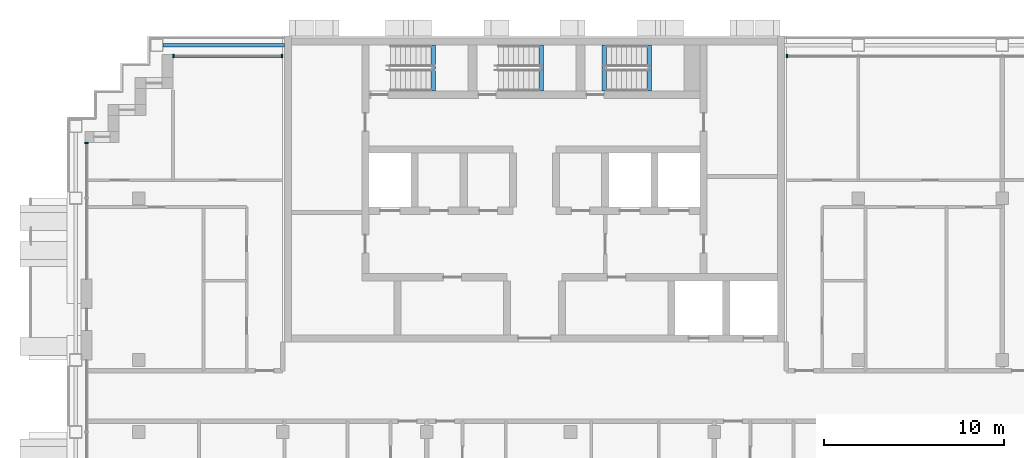
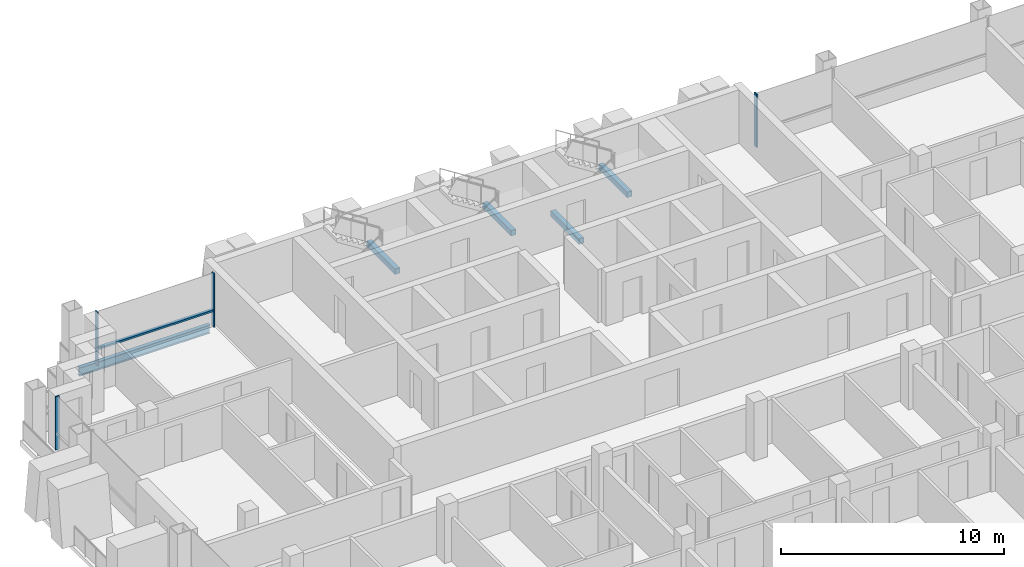
# One storey, part 4 of 16: 5 beams, 5 members, 3 elements without a shape of their own.
"""IFC4 building model written with IfcOpenShell, lengths in metres."""

from ifc_helpers import new_model, si_unit, direction, frame, origin, origin_2d, place, context, subcontext, project, spatial, rectangle, i_section, extrude, material, material_profile, profile_set, type_object, element, aggregate, save


model = new_model("IFC4")

# Units and contexts
model_context = context("Model", 3, precision=1e-05, world=origin(), true_north=direction((0.0, 1.0)))
body_context = subcontext(model_context, "Body", "Model", "MODEL_VIEW")
ifc_project = project(units=[si_unit("LENGTHUNIT", "METRE"), si_unit("AREAUNIT", "SQUARE_METRE"), si_unit("VOLUMEUNIT", "CUBIC_METRE"), si_unit("PLANEANGLEUNIT", "RADIAN"), si_unit("MASSUNIT", "GRAM", prefix="KILO")], contexts=[model_context])

# Site, building, storey
site_placement = place(None, origin())
site = spatial("IfcSite", under=ifc_project, at=site_placement, CompositionType="ELEMENT")
building_placement = place(site_placement, origin())
building = spatial("IfcBuilding", under=site, at=building_placement, Name="Vidyagriha Tower", CompositionType="ELEMENT")
storey_placement = place(building_placement, frame((0.0, 0.0, 168.5)))
storey = spatial("IfcBuildingStorey", under=building, at=storey_placement, Name="L43", CompositionType="ELEMENT", Elevation=168.5)

# Beam
ifc_material_1 = material(Name="Steel ASTM A992 Grade 50", Category="steel")
ifc_material_profile_1 = material_profile(ifc_material_1, i_section(OverallWidth=0.19189453125, OverallDepth=0.46240234375, WebThickness=0.010498046875, FlangeThickness=0.017578125, at=origin_2d()), Name="W18X60")
ifc_profile_set_1 = profile_set([ifc_material_profile_1], Name="Steel ASTM A992 Grade 50")
beam_type_1 = type_object("IfcBeamType", Name="Edge beam W18X60", PredefinedType="SPANDREL", material=ifc_profile_set_1)
beam_placement = place(storey_placement, frame((-20.64990234375, 19.5, -0.51123046875), z_axis=(1.0, 0.0, 0.0), x_axis=(0.0, 1.0, 0.0)))
element("IfcBeam", 1, at=beam_placement, inside=storey, type_object=beam_type_1, Name="st-beam-L43-NC20", PredefinedType="SPANDREL", context=body_context, shape_type="SweptSolid", body=[
    extrude(i_section(OverallWidth=0.19189453125, OverallDepth=0.46240234375, WebThickness=0.010498046875, FlangeThickness=0.017578125, at=origin_2d()), origin(), (0.0, 0.0, 1.0), 6.75),
])

# Curtain wall, member
ifc_material_2 = material(Name="Aluminium and glass curtain wall", Category="aluminium")
curtain_wall_type = type_object("IfcCurtainWallType", Name="Dwelling skin unitised curtain wall", PredefinedType="USERDEFINED", material=ifc_material_2)
curtain_wall_1_placement = place(storey_placement, origin())
curtain_wall_1 = element("IfcCurtainWall", 2, at=curtain_wall_1_placement, inside=storey, type_object=curtain_wall_type, Name="CW1 dwelling skin", ObjectType="UNITISED", PredefinedType="USERDEFINED")
ifc_material_3 = material(Name="Aluminium black anodised", Category="aluminium")
ifc_material_profile_2 = material_profile(ifc_material_3, rectangle(XDim=0.199951171875, YDim=0.070068359375, at=origin_2d()), Name="Mullion 70x200 black aluminium")
ifc_profile_set_2 = profile_set([ifc_material_profile_2], Name="Aluminium black anodised")
member_type_1 = type_object("IfcMemberType", Name="Mullion 70x200 black aluminium", PredefinedType="MULLION", material=ifc_profile_set_2)
member_1_placement = place(storey_placement, frame((14.034912109375, 18.89990234375, 0.0), z_axis=(0.0, 0.0, 1.0), x_axis=(0.0, -1.0, 0.0)))
member_1 = element("IfcMember", 3, at=member_1_placement, type_object=member_type_1, Name="CW1 mullion 4", PredefinedType="MULLION", context=body_context, shape_type="SweptSolid", body=[
    extrude(rectangle(XDim=0.199951171875, YDim=0.070068359375, at=origin_2d()), origin(), (0.0, 0.0, 1.0), 2.919921875),
])
aggregate(curtain_wall_1, [member_1])

# Curtain wall, members
curtain_wall_2_placement = place(storey_placement, origin())
curtain_wall_2 = element("IfcCurtainWall", 4, at=curtain_wall_2_placement, inside=storey, type_object=curtain_wall_type, Name="CW1 dwelling skin", ObjectType="UNITISED", PredefinedType="USERDEFINED")
member_2_placement = place(storey_placement, frame((-14.034912109375, 18.89990234375, 0.0), z_axis=(0.0, 0.0, 1.0), x_axis=(0.0, -1.0, 0.0)))
member_2 = element("IfcMember", 5, at=member_2_placement, type_object=member_type_1, Name="CW1 mullion 1", PredefinedType="MULLION", context=body_context, shape_type="SweptSolid", body=[
    extrude(rectangle(XDim=0.199951171875, YDim=0.070068359375, at=origin_2d()), origin(), (0.0, 0.0, 1.0), 2.919921875),
])
member_3_placement = place(storey_placement, frame((-20.06494140625, 18.89990234375, 0.0), z_axis=(0.0, 0.0, 1.0), x_axis=(0.0, -1.0, 0.0)))
member_3 = element("IfcMember", 6, at=member_3_placement, type_object=member_type_1, Name="CW1 mullion 2", PredefinedType="MULLION", context=body_context, shape_type="SweptSolid", body=[
    extrude(rectangle(XDim=0.199951171875, YDim=0.070068359375, at=origin_2d()), origin(), (0.0, 0.0, 1.0), 2.919921875),
])

# Curtain wall, member
curtain_wall_3_placement = place(storey_placement, origin())
curtain_wall_3 = element("IfcCurtainWall", 7, at=curtain_wall_3_placement, inside=storey, type_object=curtain_wall_type, Name="CW1 dwelling skin", ObjectType="UNITISED", PredefinedType="USERDEFINED")
member_4_placement = place(storey_placement, frame((-24.89990234375, 14.06494140625, 0.0)))
member_4 = element("IfcMember", 8, at=member_4_placement, type_object=member_type_1, Name="CW1 mullion 1", PredefinedType="MULLION", context=body_context, shape_type="SweptSolid", body=[
    extrude(rectangle(XDim=0.199951171875, YDim=0.070068359375, at=origin_2d()), origin(), (0.0, 0.0, 1.0), 2.919921875),
])
aggregate(curtain_wall_3, [member_4])

# Beams
ifc_material_4 = material(Name="Concrete C40/50", Category="concrete")
ifc_material_profile_3 = material_profile(ifc_material_4, rectangle(XDim=0.25, YDim=0.300048828125, at=origin_2d()), Name="Stair landing bearing beam 250x300")
ifc_profile_set_3 = profile_set([ifc_material_profile_3], Name="Concrete C40/50")
beam_type_2 = type_object("IfcBeamType", Name="Stair landing bearing beam 250x300", PredefinedType="BEAM", material=ifc_profile_set_3)
for number, where, z_axis, x_axis, name in (
    (9, (3.875, 16.949951171875, -0.429931640625), (0.0, 1.0, 0.0), (-1.0, 0.0, 0.0), "ST3 floor landing bearing beam L43"),
    (10, (-5.635009765625, 16.949951171875, 1.25), (0.0, 1.0, 0.0), (-1.0, 0.0, 0.0), "ST1 landing bearing beam L43"),
    (11, (0.364990234375, 16.949951171875, 1.25), (0.0, 1.0, 0.0), (-1.0, 0.0, 0.0), "ST2 landing bearing beam L43"),
    (12, (6.364990234375, 16.949951171875, 1.25), (0.0, 1.0, 0.0), (-1.0, 0.0, 0.0), "ST3 landing bearing beam L43"),
):
    element("IfcBeam", number, at=place(storey_placement, frame(where, z_axis=z_axis, x_axis=x_axis)), inside=storey, type_object=beam_type_2, Name=name, PredefinedType="BEAM", context=body_context, shape_type="SweptSolid", body=[
        extrude(rectangle(XDim=0.25, YDim=0.300048828125, at=origin_2d()), origin(), (0.0, 0.0, 1.0), 2.550048828125),
    ])

# Member
ifc_material_5 = material(Name="Aluminium black anodised", Category="aluminium")
ifc_material_profile_4 = material_profile(ifc_material_5, rectangle(XDim=0.159912109375, YDim=0.10009765625, at=origin_2d()), Name="Transom 100x160 black aluminium")
ifc_profile_set_4 = profile_set([ifc_material_profile_4], Name="Aluminium black anodised")
member_type_2 = type_object("IfcMemberType", Name="Transom 100x160 black aluminium", PredefinedType="USERDEFINED", material=ifc_profile_set_4)
member_5_placement = place(storey_placement, frame((-14.070068359375, 18.89990234375, 0.89990234375), z_axis=(-1.0, 0.0, 0.0), x_axis=(0.0, -1.0, 0.0)))
member_5 = element("IfcMember", 13, at=member_5_placement, type_object=member_type_2, Name="CW1 transom 1.1", ObjectType="TRANSOM", PredefinedType="USERDEFINED", context=body_context, shape_type="SweptSolid", body=[
    extrude(rectangle(XDim=0.159912109375, YDim=0.10009765625, at=origin_2d()), origin(), (0.0, 0.0, 1.0), 5.9599609375),
])

aggregate(curtain_wall_2, [member_2, member_3, member_5])

save(model, "model.ifc")
